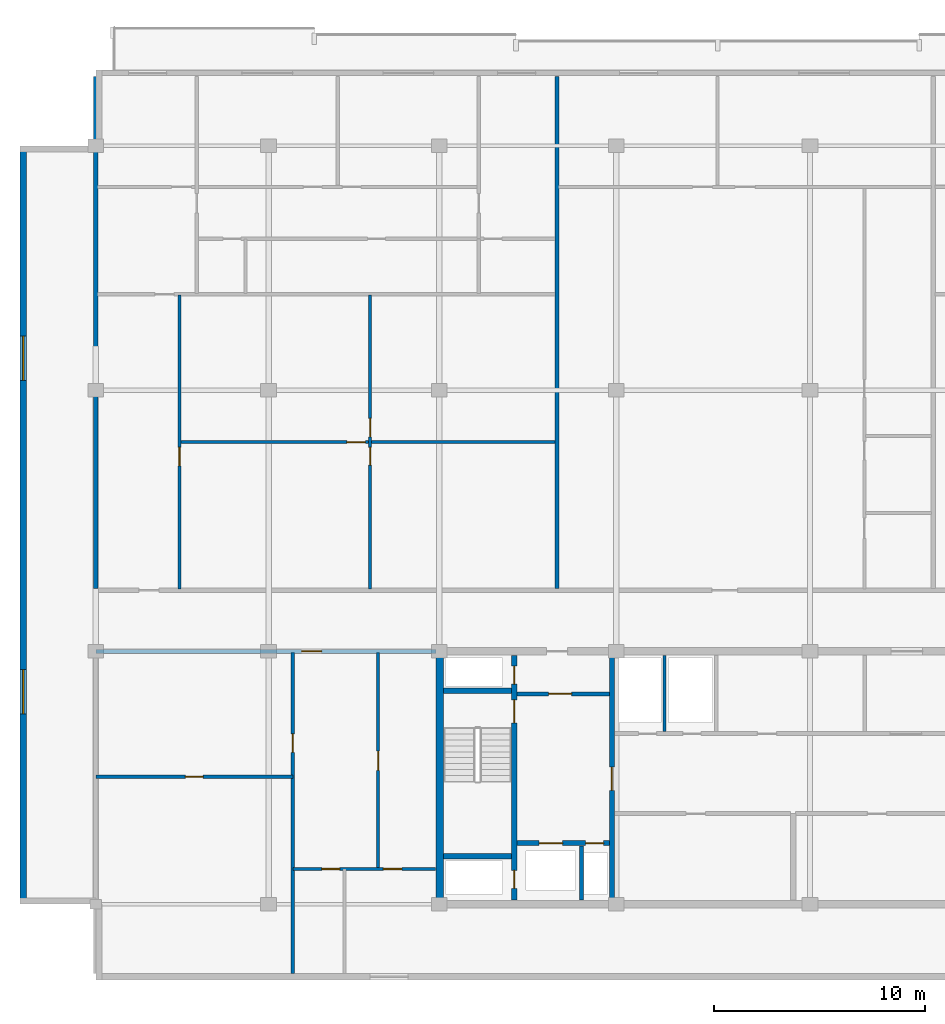
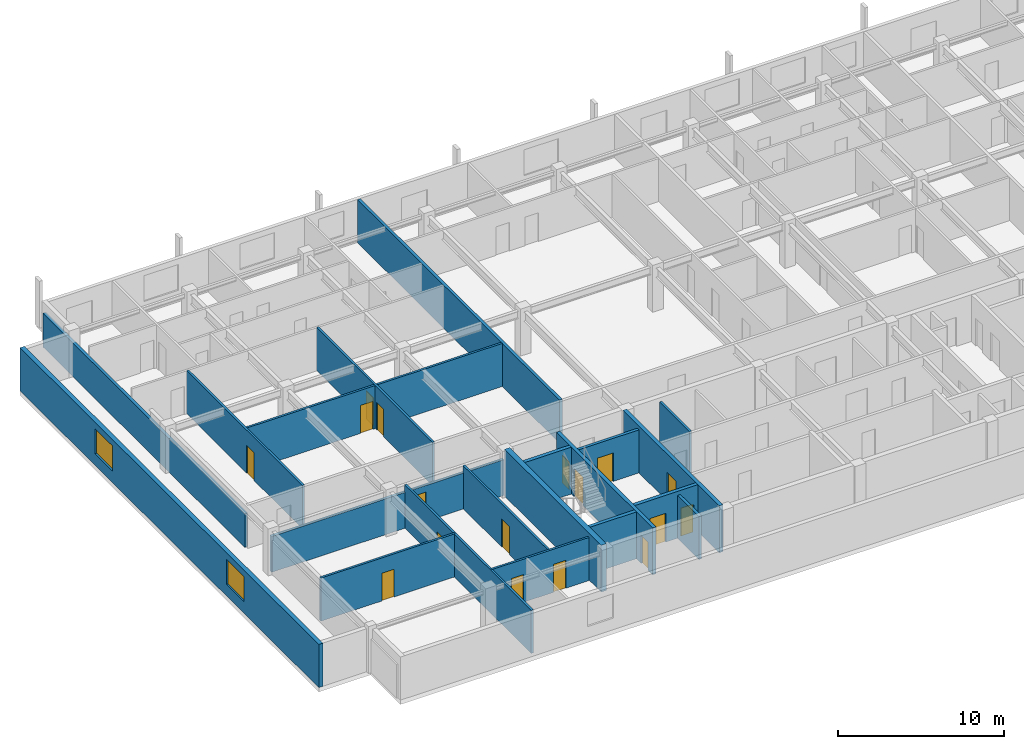
# One storey, part 3 of 10: 20 walls, 17 doors, 2 windows, 19 openings.
"""IFC4 building model written with IfcOpenShell, lengths in metres."""

from ifc_helpers import new_model, si_unit, direction, frame, frame_2d, origin, place, context, subcontext, project, spatial, rectangle, extrude, material, layer, layer_set, type_object, element, fill, save


model = new_model("IFC4")

# Units and contexts
model_context = context("Model", 3, precision=1e-05, world=origin(), true_north=direction((0.0, 1.0)))
body_context = subcontext(model_context, "Body", "Model", "MODEL_VIEW")
ifc_project = project(units=[si_unit("LENGTHUNIT", "METRE"), si_unit("AREAUNIT", "SQUARE_METRE"), si_unit("VOLUMEUNIT", "CUBIC_METRE"), si_unit("PLANEANGLEUNIT", "RADIAN"), si_unit("MASSUNIT", "GRAM", prefix="KILO")], contexts=[model_context])

# Site, building, storey
site_placement = place(None, origin())
site = spatial("IfcSite", under=ifc_project, at=site_placement, CompositionType="ELEMENT")
building_placement = place(site_placement, origin())
building = spatial("IfcBuilding", under=site, at=building_placement, Name="Korimba Cascade Residences", CompositionType="ELEMENT")
storey_placement = place(building_placement, frame((0.0, 0.0, 228.64990234375)))
storey = spatial("IfcBuildingStorey", under=building, at=storey_placement, Name="L66", CompositionType="ELEMENT", Elevation=228.64990234375)

# Wall, openings, windows
ifc_material_1 = material(Name="Precast concrete C40/50", Category="concrete")
ifc_layer_1 = layer(ifc_material_1, 0.300048828125)
ifc_layer_set_1 = layer_set([ifc_layer_1], Name="Precast concrete C40/50")
wall_type_1 = type_object("IfcWallType", Name="EW-STONE-300", PredefinedType="STANDARD", material=ifc_layer_set_1)
wall_1_placement = place(storey_placement, frame((56.35009765625, 91.199951171875, 0.0), z_axis=(0.0, 0.0, 1.0), x_axis=(0.0, -1.0, 0.0)))
wall_1 = element("IfcWall", 1, at=wall_1_placement, inside=storey, type_object=wall_type_1, Name="L66 T1 Perimeter Stone Wall E09", PredefinedType="STANDARD", context=body_context, shape_type="SweptSolid", body=[
    extrude(rectangle(XDim=36.0, YDim=0.300048828125, at=frame_2d((18.0, 0.0))), origin(), (0.0, 0.0, 1.0), 3.170166015625),
])
opening_1_placement = place(wall_1_placement, frame((9.030029296875, 0.0, 0.85009765625)))
opening_1 = element("IfcOpeningElement", 2, at=opening_1_placement, cuts=wall_1, Name="Opening W-03", PredefinedType="OPENING", context=body_context, shape_type="SweptSolid", body=[
    extrude(rectangle(XDim=2.10009765625, YDim=1.85009765625, at=frame_2d((1.050048828125, 0.925048828125))), frame((0.0, 0.16015625, 0.0), z_axis=(0.0, -1.0, 0.0), x_axis=(1.0, 0.0, 0.0)), (0.0, 0.0, 1.0), 0.320068359375),
])
opening_2_placement = place(wall_1_placement, frame((24.8701171875, 0.0, 0.85009765625)))
opening_2 = element("IfcOpeningElement", 3, at=opening_2_placement, cuts=wall_1, Name="Opening W-03", PredefinedType="OPENING", context=body_context, shape_type="SweptSolid", body=[
    extrude(rectangle(XDim=2.10009765625, YDim=1.85009765625, at=frame_2d((1.050048828125, 0.925048828125))), frame((0.0, 0.16015625, 0.0), z_axis=(0.0, -1.0, 0.0), x_axis=(1.0, 0.0, 0.0)), (0.0, 0.0, 1.0), 0.320068359375),
])
ifc_material_2 = material(Name="Double-Glazed Aluminium Window", Category="aluminium")
window_type = type_object("IfcWindowType", Name="WIN-CRN-2100", PartitioningType="DOUBLE_PANEL_HORIZONTAL", PredefinedType="WINDOW", material=ifc_material_2)
window_1_placement = place(opening_1_placement, origin())
window_1 = element("IfcWindow", 4, at=window_1_placement, inside=storey, type_object=window_type, Name="L66 T1 End View Window 9.1", OverallHeight=1.85009765625, OverallWidth=2.10009765625, PartitioningType="DOUBLE_PANEL_HORIZONTAL", PredefinedType="WINDOW", context=body_context, shape_type="SweptSolid", body=[
    extrude(rectangle(XDim=2.10009765625, YDim=1.85009765625, at=frame_2d((1.050048828125, 0.925048828125))), frame((0.0, 0.030029296875, 0.0), z_axis=(0.0, -1.0, 0.0), x_axis=(1.0, 0.0, 0.0)), (0.0, 0.0, 1.0), 0.06005859375),
])
fill(opening_1, window_1)
window_2_placement = place(opening_2_placement, origin())
window_2 = element("IfcWindow", 5, at=window_2_placement, inside=storey, type_object=window_type, Name="L66 T1 End View Window 9.2", OverallHeight=1.85009765625, OverallWidth=2.10009765625, PartitioningType="DOUBLE_PANEL_HORIZONTAL", PredefinedType="WINDOW", context=body_context, shape_type="SweptSolid", body=[
    extrude(rectangle(XDim=2.10009765625, YDim=1.85009765625, at=frame_2d((1.050048828125, 0.925048828125))), frame((0.0, 0.030029296875, 0.0), z_axis=(0.0, -1.0, 0.0), x_axis=(1.0, 0.0, 0.0)), (0.0, 0.0, 1.0), 0.06005859375),
])
fill(opening_2, window_2)

# Wall
ifc_material_3 = material(Name="Concrete C65/80", Category="concrete")
ifc_layer_2 = layer(ifc_material_3, 0.35009765625)
ifc_layer_set_2 = layer_set([ifc_layer_2], Name="Concrete C65/80")
wall_type_2 = type_object("IfcWallType", Name="WAL-CORE-350", PredefinedType="SHEAR", material=ifc_layer_set_2)
wall_2_placement = place(storey_placement, frame((76.125, 55.375, 0.0), z_axis=(0.0, 0.0, 1.0), x_axis=(0.0, 1.0, 0.0)))
element("IfcWall", 6, at=wall_2_placement, inside=storey, type_object=wall_type_2, Name="L66 Core Shear Wall CW-L66-T1-W", PredefinedType="SHEAR", context=body_context, shape_type="SweptSolid", body=[
    extrude(rectangle(XDim=11.64990234375, YDim=0.35009765625, at=frame_2d((5.824951171875, 0.0))), origin(), (0.0, 0.0, 1.0), 3.4501953125),
])

# Wall, opening, door
ifc_layer_3 = layer(ifc_material_1, 0.199951171875)
ifc_layer_set_3 = layer_set([ifc_layer_3], Name="Precast concrete C40/50")
wall_type_3 = type_object("IfcWallType", Name="WAL-IT-200", PredefinedType="PARTITIONING", material=ifc_layer_set_3)
wall_3_placement = place(storey_placement, frame((59.800048828125, 67.199951171875, 0.0), z_axis=(0.0, 0.0, 1.0), x_axis=(1.0, 0.0, 0.0)))
wall_3 = element("IfcWall", 7, at=wall_3_placement, inside=storey, type_object=wall_type_3, Name="L66 Partition Wall WAL-L66-T1-FW-N", PredefinedType="PARTITIONING", context=body_context, shape_type="SweptSolid", body=[
    extrude(rectangle(XDim=16.14990234375, YDim=0.199951171875, at=frame_2d((8.074951171875, 0.0))), origin(), (0.0, 0.0, 1.0), 2.63330078125),
])
opening_3_placement = place(wall_3_placement, frame((9.7724609375, 0.0, 0.0)))
opening_3 = element("IfcOpeningElement", 8, at=opening_3_placement, cuts=wall_3, Name="Opening D-UN1", PredefinedType="OPENING", context=body_context, shape_type="SweptSolid", body=[
    extrude(rectangle(XDim=0.949951171875, YDim=2.14990234375, at=frame_2d((0.47509765625, 1.074951171875))), frame((0.0, 0.10986328125, 0.0), z_axis=(0.0, -1.0, 0.0), x_axis=(1.0, 0.0, 0.0)), (0.0, 0.0, 1.0), 0.219970703125),
])
ifc_material_4 = material(Name="Fire-Rated Hardwood Apartment Entrance Door", Category="wood")
door_type_1 = type_object("IfcDoorType", Name="DR-FD60-950", OperationType="NOTDEFINED", PredefinedType="DOOR", material=ifc_material_4)
door_1_placement = place(opening_3_placement, origin())
door_1 = element("IfcDoor", 9, at=door_1_placement, inside=storey, type_object=door_type_1, Name="L66-T1-FW Entrance Door", OperationType="SINGLE_SWING_RIGHT", OverallHeight=2.14990234375, OverallWidth=0.949951171875, PredefinedType="DOOR", context=body_context, shape_type="SweptSolid", body=[
    extrude(rectangle(XDim=0.949951171875, YDim=2.14990234375, at=frame_2d((0.47509765625, 1.074951171875))), frame((0.0, 0.02490234375, 0.0), z_axis=(0.0, -1.0, 0.0), x_axis=(1.0, 0.0, 0.0)), (0.0, 0.0, 1.0), 0.050048828125),
])
fill(opening_3, door_1)

# Walls
wall_4_placement = place(storey_placement, frame((59.800048828125, 70.179931640625, 0.0), z_axis=(0.0, 0.0, 1.0), x_axis=(0.0, 1.0, 0.0)))
element("IfcWall", 10, at=wall_4_placement, inside=storey, type_object=wall_type_3, Name="L66 Partition Wall WAL-L66-T1-BNDWL", PredefinedType="PARTITIONING", context=body_context, shape_type="SweptSolid", body=[
    extrude(rectangle(XDim=24.320068359375, YDim=0.199951171875, at=frame_2d((12.16015625, 0.0))), origin(), (0.0, 0.0, 1.0), 2.477294921875),
])
wall_5_placement = place(storey_placement, frame((81.687255859375, 70.179931640625, 0.0), z_axis=(0.0, 0.0, 1.0), x_axis=(0.0, 1.0, 0.0)))
element("IfcWall", 11, at=wall_5_placement, inside=storey, type_object=wall_type_3, Name="L66 Partition Wall WAL-L66-T1-DEM-1", PredefinedType="PARTITIONING", context=body_context, shape_type="SweptSolid", body=[
    extrude(rectangle(XDim=24.320068359375, YDim=0.199951171875, at=frame_2d((12.16015625, 0.0))), origin(), (0.0, 0.0, 1.0), 3.170166015625),
])
ifc_material_5 = material(Name="Insulated Acoustic Stud Partition", Category="gypsum")
ifc_layer_4 = layer(ifc_material_5, 0.14990234375)
ifc_layer_set_4 = layer_set([ifc_layer_4], Name="Insulated Acoustic Stud Partition")
wall_type_4 = type_object("IfcWallType", Name="WAL-PART-150", PredefinedType="PARTITIONING", material=ifc_layer_set_4)
wall_6_placement = place(storey_placement, frame((86.800048828125, 63.39990234375, 0.0), z_axis=(0.0, 0.0, 1.0), x_axis=(0.0, 1.0, 0.0)))
element("IfcWall", 12, at=wall_6_placement, inside=storey, type_object=wall_type_4, Name="L66 Partition Wall CW-L66-T1-ERDIV", PredefinedType="PARTITIONING", context=body_context, shape_type="SweptSolid", body=[
    extrude(rectangle(XDim=3.60009765625, YDim=0.14990234375, at=frame_2d((1.800048828125, 0.0))), origin(), (0.0, 0.0, 1.0), 3.170166015625),
])

# Wall, opening, door
wall_7_placement = place(storey_placement, frame((59.800048828125, 61.25, 0.0), z_axis=(0.0, 0.0, 1.0), x_axis=(1.0, 0.0, 0.0)))
wall_7 = element("IfcWall", 13, at=wall_7_placement, inside=storey, type_object=wall_type_4, Name="L66 Partition Wall WAL-L66-T1-FW-STH", PredefinedType="PARTITIONING", context=body_context, shape_type="SweptSolid", body=[
    extrude(rectangle(XDim=9.349853515625, YDim=0.14990234375, at=frame_2d((4.6748046875, 0.0))), origin(), (0.0, 0.0, 1.0), 3.170166015625),
])
opening_4_placement = place(wall_7_placement, frame((4.2548828125, 0.0, 0.0)))
opening_4 = element("IfcOpeningElement", 14, at=opening_4_placement, cuts=wall_7, Name="Opening D-BT1", PredefinedType="OPENING", context=body_context, shape_type="SweptSolid", body=[
    extrude(rectangle(XDim=0.840087890625, YDim=2.0400390625, at=frame_2d((0.419921875, 1.02001953125))), frame((0.0, 0.0849609375, 0.0), z_axis=(0.0, -1.0, 0.0), x_axis=(1.0, 0.0, 0.0)), (0.0, 0.0, 1.0), 0.169921875),
])
ifc_material_6 = material(Name="Moisture-Resistant Bathroom Timber Door", Category="wood")
door_type_2 = type_object("IfcDoorType", Name="DR-INT-850", OperationType="NOTDEFINED", PredefinedType="DOOR", material=ifc_material_6)
door_2_placement = place(opening_4_placement, origin())
door_2 = element("IfcDoor", 15, at=door_2_placement, inside=storey, type_object=door_type_2, Name="L66-T1-FW Dressing Store Door", OperationType="SINGLE_SWING_LEFT", OverallHeight=2.0400390625, OverallWidth=0.840087890625, PredefinedType="DOOR", context=body_context, shape_type="SweptSolid", body=[
    extrude(rectangle(XDim=0.840087890625, YDim=2.0400390625, at=frame_2d((0.419921875, 1.02001953125))), frame((0.0, 0.02490234375, 0.0), z_axis=(0.0, -1.0, 0.0), x_axis=(1.0, 0.0, 0.0)), (0.0, 0.0, 1.0), 0.050048828125),
])
fill(opening_4, door_2)

wall_8_placement = place(storey_placement, frame((69.14990234375, 51.89990234375, 0.0), z_axis=(0.0, 0.0, 1.0), x_axis=(0.0, 1.0, 0.0)))
wall_8 = element("IfcWall", 16, at=wall_8_placement, inside=storey, type_object=wall_type_4, Name="L66 Partition Wall WAL-L66-T1-FW-STV", PredefinedType="PARTITIONING", context=body_context, shape_type="SweptSolid", body=[
    extrude(rectangle(XDim=15.25, YDim=0.14990234375, at=frame_2d((7.625, 0.0))), origin(), (0.0, 0.0, 1.0), 3.170166015625),
])
opening_5_placement = place(wall_8_placement, frame((10.5, 0.0, 0.0)))
opening_5 = element("IfcOpeningElement", 17, at=opening_5_placement, cuts=wall_8, Name="Opening D-IN2", PredefinedType="OPENING", context=body_context, shape_type="SweptSolid", body=[
    extrude(rectangle(XDim=0.8798828125, YDim=2.06005859375, at=frame_2d((0.43994140625, 1.030029296875))), frame((0.0, 0.0849609375, 0.0), z_axis=(0.0, -1.0, 0.0), x_axis=(1.0, 0.0, 0.0)), (0.0, 0.0, 1.0), 0.169921875),
])
ifc_material_7 = material(Name="Acoustic Timber Bedroom Door", Category="wood")
door_type_3 = type_object("IfcDoorType", Name="DR-INT-880", OperationType="NOTDEFINED", PredefinedType="DOOR", material=ifc_material_7)
door_3_placement = place(opening_5_placement, origin())
door_3 = element("IfcDoor", 18, at=door_3_placement, inside=storey, type_object=door_type_3, Name="L66-T1-FW Study Door", OperationType="SINGLE_SWING_RIGHT", OverallHeight=2.06005859375, OverallWidth=0.8798828125, PredefinedType="DOOR", context=body_context, shape_type="SweptSolid", body=[
    extrude(rectangle(XDim=0.8798828125, YDim=2.06005859375, at=frame_2d((0.43994140625, 1.030029296875))), frame((0.0, 0.02490234375, 0.0), z_axis=(0.0, -1.0, 0.0), x_axis=(1.0, 0.0, 0.0)), (0.0, 0.0, 1.0), 0.050048828125),
])
fill(opening_5, door_3)

wall_9_placement = place(storey_placement, frame((73.199951171875, 56.8701171875, 0.0), z_axis=(0.0, 0.0, 1.0), x_axis=(0.0, 1.0, 0.0)))
wall_9 = element("IfcWall", 19, at=wall_9_placement, inside=storey, type_object=wall_type_4, Name="L66 Partition Wall WAL-L66-T1-FW-VN", PredefinedType="PARTITIONING", context=body_context, shape_type="SweptSolid", body=[
    extrude(rectangle(XDim=10.27978515625, YDim=0.14990234375, at=frame_2d((5.139892578125, 0.0))), origin(), (0.0, 0.0, 1.0), 3.170166015625),
])
opening_6_placement = place(wall_9_placement, frame((4.679931640625, 0.0, 0.0)))
opening_6 = element("IfcOpeningElement", 20, at=opening_6_placement, cuts=wall_9, Name="Opening D-IN1", PredefinedType="OPENING", context=body_context, shape_type="SweptSolid", body=[
    extrude(rectangle(XDim=0.919921875, YDim=2.080078125, at=frame_2d((0.4599609375, 1.0400390625))), frame((0.0, 0.0849609375, 0.0), z_axis=(0.0, -1.0, 0.0), x_axis=(1.0, 0.0, 0.0)), (0.0, 0.0, 1.0), 0.169921875),
])
ifc_material_8 = material(Name="Acoustic Timber Living Door", Category="wood")
door_type_4 = type_object("IfcDoorType", Name="DR-INT-920", OperationType="NOTDEFINED", PredefinedType="DOOR", material=ifc_material_8)
door_4_placement = place(opening_6_placement, origin())
door_4 = element("IfcDoor", 21, at=door_4_placement, inside=storey, type_object=door_type_4, Name="L66-T1-FW Living Door", OperationType="SINGLE_SWING_LEFT", OverallHeight=2.080078125, OverallWidth=0.919921875, PredefinedType="DOOR", context=body_context, shape_type="SweptSolid", body=[
    extrude(rectangle(XDim=0.919921875, YDim=2.080078125, at=frame_2d((0.4599609375, 1.0400390625))), frame((0.0, 0.02490234375, 0.0), z_axis=(0.0, -1.0, 0.0), x_axis=(1.0, 0.0, 0.0)), (0.0, 0.0, 1.0), 0.050048828125),
])
fill(opening_6, door_4)

# Wall, openings, doors
wall_10_placement = place(storey_placement, frame((69.169921875, 56.8701171875, 0.0), z_axis=(0.0, 0.0, 1.0), x_axis=(1.0, 0.0, 0.0)))
wall_10 = element("IfcWall", 22, at=wall_10_placement, inside=storey, type_object=wall_type_4, Name="L66 Partition Wall WAL-L66-T1-FW-H", PredefinedType="PARTITIONING", context=body_context, shape_type="SweptSolid", body=[
    extrude(rectangle(XDim=6.760009765625, YDim=0.14990234375, at=frame_2d((3.3798828125, 0.0))), origin(), (0.0, 0.0, 1.0), 3.170166015625),
])
opening_7_placement = place(wall_10_placement, frame((1.3623046875, 0.0, 0.0)))
opening_7 = element("IfcOpeningElement", 23, at=opening_7_placement, cuts=wall_10, Name="Opening D-BT1", PredefinedType="OPENING", context=body_context, shape_type="SweptSolid", body=[
    extrude(rectangle(XDim=0.840087890625, YDim=2.0400390625, at=frame_2d((0.419921875, 1.02001953125))), frame((0.0, 0.0849609375, 0.0), z_axis=(0.0, -1.0, 0.0), x_axis=(1.0, 0.0, 0.0)), (0.0, 0.0, 1.0), 0.169921875),
])
opening_8_placement = place(wall_10_placement, frame((4.276611328125, 0.0, 0.0)))
opening_8 = element("IfcOpeningElement", 24, at=opening_8_placement, cuts=wall_10, Name="Opening D-IN2", PredefinedType="OPENING", context=body_context, shape_type="SweptSolid", body=[
    extrude(rectangle(XDim=0.8798828125, YDim=2.06005859375, at=frame_2d((0.43994140625, 1.030029296875))), frame((0.0, 0.0849609375, 0.0), z_axis=(0.0, -1.0, 0.0), x_axis=(1.0, 0.0, 0.0)), (0.0, 0.0, 1.0), 0.169921875),
])
door_5_placement = place(opening_7_placement, origin())
door_5 = element("IfcDoor", 25, at=door_5_placement, inside=storey, type_object=door_type_2, Name="L66-T1-FW Bathroom Door", OperationType="SINGLE_SWING_RIGHT", OverallHeight=2.0400390625, OverallWidth=0.840087890625, PredefinedType="DOOR", context=body_context, shape_type="SweptSolid", body=[
    extrude(rectangle(XDim=0.840087890625, YDim=2.0400390625, at=frame_2d((0.419921875, 1.02001953125))), frame((0.0, 0.02490234375, 0.0), z_axis=(0.0, -1.0, 0.0), x_axis=(1.0, 0.0, 0.0)), (0.0, 0.0, 1.0), 0.050048828125),
])
fill(opening_7, door_5)
door_6_placement = place(opening_8_placement, origin())
door_6 = element("IfcDoor", 26, at=door_6_placement, inside=storey, type_object=door_type_3, Name="L66-T1-FW Bedroom Door", OperationType="SINGLE_SWING_LEFT", OverallHeight=2.06005859375, OverallWidth=0.8798828125, PredefinedType="DOOR", context=body_context, shape_type="SweptSolid", body=[
    extrude(rectangle(XDim=0.8798828125, YDim=2.06005859375, at=frame_2d((0.43994140625, 1.030029296875))), frame((0.0, 0.02490234375, 0.0), z_axis=(0.0, -1.0, 0.0), x_axis=(1.0, 0.0, 0.0)), (0.0, 0.0, 1.0), 0.050048828125),
])
fill(opening_8, door_6)

wall_11_placement = place(storey_placement, frame((72.818603515625, 70.159912109375, 0.0), z_axis=(0.0, 0.0, 1.0), x_axis=(0.0, 1.0, 0.0)))
wall_11 = element("IfcWall", 27, at=wall_11_placement, inside=storey, type_object=wall_type_4, Name="L66 Partition Wall WAL-L66-T1-U01-FMV", PredefinedType="PARTITIONING", context=body_context, shape_type="SweptSolid", body=[
    extrude(rectangle(XDim=13.9501953125, YDim=0.14990234375, at=frame_2d((6.97509765625, 0.0))), origin(), (0.0, 0.0, 1.0), 3.170166015625),
])
opening_9_placement = place(wall_11_placement, frame((5.885009765625, 0.0, 0.0)))
opening_9 = element("IfcOpeningElement", 28, at=opening_9_placement, cuts=wall_11, Name="Opening D-BT1", PredefinedType="OPENING", context=body_context, shape_type="SweptSolid", body=[
    extrude(rectangle(XDim=0.840087890625, YDim=2.0400390625, at=frame_2d((0.419921875, 1.02001953125))), frame((0.0, 0.0849609375, 0.0), z_axis=(0.0, -1.0, 0.0), x_axis=(1.0, 0.0, 0.0)), (0.0, 0.0, 1.0), 0.169921875),
])
opening_10_placement = place(wall_11_placement, frame((7.22509765625, 0.0, 0.0)))
opening_10 = element("IfcOpeningElement", 29, at=opening_10_placement, cuts=wall_11, Name="Opening D-IN2", PredefinedType="OPENING", context=body_context, shape_type="SweptSolid", body=[
    extrude(rectangle(XDim=0.8798828125, YDim=2.06005859375, at=frame_2d((0.43994140625, 1.030029296875))), frame((0.0, 0.0849609375, 0.0), z_axis=(0.0, -1.0, 0.0), x_axis=(1.0, 0.0, 0.0)), (0.0, 0.0, 1.0), 0.169921875),
])
door_7_placement = place(opening_9_placement, origin())
door_7 = element("IfcDoor", 30, at=door_7_placement, inside=storey, type_object=door_type_2, Name="L66-T1-U01 Wardrobe Door", OperationType="SINGLE_SWING_LEFT", OverallHeight=2.0400390625, OverallWidth=0.840087890625, PredefinedType="DOOR", context=body_context, shape_type="SweptSolid", body=[
    extrude(rectangle(XDim=0.840087890625, YDim=2.0400390625, at=frame_2d((0.419921875, 1.02001953125))), frame((0.0, 0.02490234375, 0.0), z_axis=(0.0, -1.0, 0.0), x_axis=(1.0, 0.0, 0.0)), (0.0, 0.0, 1.0), 0.050048828125),
])
fill(opening_9, door_7)
door_8_placement = place(opening_10_placement, origin())
door_8 = element("IfcDoor", 31, at=door_8_placement, inside=storey, type_object=door_type_3, Name="L66-T1-U01 Music Lounge Door", OperationType="SINGLE_SWING_RIGHT", OverallHeight=2.06005859375, OverallWidth=0.8798828125, PredefinedType="DOOR", context=body_context, shape_type="SweptSolid", body=[
    extrude(rectangle(XDim=0.8798828125, YDim=2.06005859375, at=frame_2d((0.43994140625, 1.030029296875))), frame((0.0, 0.02490234375, 0.0), z_axis=(0.0, -1.0, 0.0), x_axis=(1.0, 0.0, 0.0)), (0.0, 0.0, 1.0), 0.050048828125),
])
fill(opening_10, door_8)

# Wall, opening, door
wall_12_placement = place(storey_placement, frame((63.830078125, 77.135009765625, 0.0), z_axis=(0.0, 0.0, 1.0), x_axis=(1.0, 0.0, 0.0)))
wall_12 = element("IfcWall", 32, at=wall_12_placement, inside=storey, type_object=wall_type_4, Name="L66 Partition Wall WAL-L66-T1-U01-FMH", PredefinedType="PARTITIONING", context=body_context, shape_type="SweptSolid", body=[
    extrude(rectangle(XDim=17.77734375, YDim=0.14990234375, at=frame_2d((8.888671875, 0.0))), origin(), (0.0, 0.0, 1.0), 3.170166015625),
])
opening_11_placement = place(wall_12_placement, frame((7.888671875, 0.0, 0.0)))
opening_11 = element("IfcOpeningElement", 33, at=opening_11_placement, cuts=wall_12, Name="Opening D-IN2", PredefinedType="OPENING", context=body_context, shape_type="SweptSolid", body=[
    extrude(rectangle(XDim=0.8798828125, YDim=2.06005859375, at=frame_2d((0.43994140625, 1.030029296875))), frame((0.0, 0.0849609375, 0.0), z_axis=(0.0, -1.0, 0.0), x_axis=(1.0, 0.0, 0.0)), (0.0, 0.0, 1.0), 0.169921875),
])
door_9_placement = place(opening_11_placement, origin())
door_9 = element("IfcDoor", 34, at=door_9_placement, inside=storey, type_object=door_type_3, Name="L66-T1-U01 Library Salon Door", OperationType="SINGLE_SWING_LEFT", OverallHeight=2.06005859375, OverallWidth=0.8798828125, PredefinedType="DOOR", context=body_context, shape_type="SweptSolid", body=[
    extrude(rectangle(XDim=0.8798828125, YDim=2.06005859375, at=frame_2d((0.43994140625, 1.030029296875))), frame((0.0, 0.02490234375, 0.0), z_axis=(0.0, -1.0, 0.0), x_axis=(1.0, 0.0, 0.0)), (0.0, 0.0, 1.0), 0.050048828125),
])
fill(opening_11, door_9)

wall_13_placement = place(storey_placement, frame((63.77001953125, 70.159912109375, 0.0), z_axis=(0.0, 0.0, 1.0), x_axis=(0.0, 1.0, 0.0)))
wall_13 = element("IfcWall", 35, at=wall_13_placement, inside=storey, type_object=wall_type_4, Name="L66 Partition Wall WAL-L66-T1-U01-FV", PredefinedType="PARTITIONING", context=body_context, shape_type="SweptSolid", body=[
    extrude(rectangle(XDim=13.9501953125, YDim=0.14990234375, at=frame_2d((6.97509765625, 0.0))), origin(), (0.0, 0.0, 1.0), 3.170166015625),
])
opening_12_placement = place(wall_13_placement, frame((5.844970703125, 0.0, 0.0)))
opening_12 = element("IfcOpeningElement", 36, at=opening_12_placement, cuts=wall_13, Name="Opening D-IN2", PredefinedType="OPENING", context=body_context, shape_type="SweptSolid", body=[
    extrude(rectangle(XDim=0.8798828125, YDim=2.06005859375, at=frame_2d((0.43994140625, 1.030029296875))), frame((0.0, 0.0849609375, 0.0), z_axis=(0.0, -1.0, 0.0), x_axis=(1.0, 0.0, 0.0)), (0.0, 0.0, 1.0), 0.169921875),
])
door_10_placement = place(opening_12_placement, origin())
door_10 = element("IfcDoor", 37, at=door_10_placement, inside=storey, type_object=door_type_3, Name="L66-T1-U01 Media Lounge Door", OperationType="SINGLE_SWING_RIGHT", OverallHeight=2.06005859375, OverallWidth=0.8798828125, PredefinedType="DOOR", context=body_context, shape_type="SweptSolid", body=[
    extrude(rectangle(XDim=0.8798828125, YDim=2.06005859375, at=frame_2d((0.43994140625, 1.030029296875))), frame((0.0, 0.02490234375, 0.0), z_axis=(0.0, -1.0, 0.0), x_axis=(1.0, 0.0, 0.0)), (0.0, 0.0, 1.0), 0.050048828125),
])
fill(opening_12, door_10)

# Wall
ifc_material_9 = material(Name="Concrete C40/50", Category="concrete")
ifc_layer_5 = layer(ifc_material_9, 0.199951171875)
ifc_layer_set_5 = layer_set([ifc_layer_5], Name="Concrete C40/50")
wall_type_5 = type_object("IfcWallType", Name="WAL-PART-200", PredefinedType="PARTITIONING", material=ifc_layer_set_5)
wall_14_placement = place(storey_placement, frame((82.85009765625, 55.39990234375, 0.0), z_axis=(0.0, 0.0, 1.0), x_axis=(0.0, 1.0, 0.0)))
element("IfcWall", 38, at=wall_14_placement, inside=storey, type_object=wall_type_5, Name="L66 Partition Wall CW-L66-T1-FFLDIV", PredefinedType="PARTITIONING", context=body_context, shape_type="SweptSolid", body=[
    extrude(rectangle(XDim=2.56005859375, YDim=0.199951171875, at=frame_2d((1.280029296875, 0.0))), origin(), (0.0, 0.0, 1.0), 3.170166015625),
])

# Wall, opening, door
wall_15_placement = place(storey_placement, frame((79.7900390625, 65.179931640625, 0.0), z_axis=(0.0, 0.0, 1.0), x_axis=(1.0, 0.0, 0.0)))
wall_15 = element("IfcWall", 39, at=wall_15_placement, inside=storey, type_object=wall_type_5, Name="L66 Partition Wall CW-L66-T1-FFLN", PredefinedType="PARTITIONING", context=body_context, shape_type="SweptSolid", body=[
    extrude(rectangle(XDim=4.389892578125, YDim=0.199951171875, at=frame_2d((2.19482421875, 0.0))), origin(), (0.0, 0.0, 1.0), 3.170166015625),
])
opening_13_placement = place(wall_15_placement, frame((1.5, 0.0, 0.0)))
opening_13 = element("IfcOpeningElement", 40, at=opening_13_placement, cuts=wall_15, Name="Opening D-FD1", PredefinedType="OPENING", context=body_context, shape_type="SweptSolid", body=[
    extrude(rectangle(XDim=1.10009765625, YDim=2.10009765625, at=frame_2d((0.550048828125, 1.050048828125))), frame((0.0, 0.10986328125, 0.0), z_axis=(0.0, -1.0, 0.0), x_axis=(1.0, 0.0, 0.0)), (0.0, 0.0, 1.0), 0.219970703125),
])
ifc_material_10 = material(Name="Fire-Rated Steel Core Door", Category="steel")
door_type_5 = type_object("IfcDoorType", Name="DR-FD120-1100", OperationType="NOTDEFINED", PredefinedType="DOOR", material=ifc_material_10)
door_11_placement = place(opening_13_placement, origin())
door_11 = element("IfcDoor", 41, at=door_11_placement, inside=storey, type_object=door_type_5, Name="L66 West Firefighting Lobby Door", OperationType="SINGLE_SWING_LEFT", OverallHeight=2.10009765625, OverallWidth=1.10009765625, PredefinedType="DOOR", context=body_context, shape_type="SweptSolid", body=[
    extrude(rectangle(XDim=1.10009765625, YDim=2.10009765625, at=frame_2d((0.550048828125, 1.050048828125))), frame((0.0, 0.02490234375, 0.0), z_axis=(0.0, -1.0, 0.0), x_axis=(1.0, 0.0, 0.0)), (0.0, 0.0, 1.0), 0.050048828125),
])
fill(opening_13, door_11)

# Wall, openings, doors
ifc_material_11 = material(Name="Concrete C50/60", Category="concrete")
ifc_layer_6 = layer(ifc_material_11, 0.25)
ifc_layer_set_6 = layer_set([ifc_layer_6], Name="Concrete C50/60")
wall_type_6 = type_object("IfcWallType", Name="WAL-SHAFT-250", PredefinedType="SHEAR", material=ifc_layer_set_6)
wall_16_placement = place(storey_placement, frame((79.6650390625, 55.39990234375, 0.0), z_axis=(0.0, 0.0, 1.0), x_axis=(0.0, 1.0, 0.0)))
wall_16 = element("IfcWall", 42, at=wall_16_placement, inside=storey, type_object=wall_type_6, Name="L66 Core Shear Wall CW-L66-T1-STW1E", PredefinedType="SHEAR", context=body_context, shape_type="SweptSolid", body=[
    extrude(rectangle(XDim=11.60009765625, YDim=0.25, at=frame_2d((5.800048828125, 0.0))), origin(), (0.0, 0.0, 1.0), 3.4501953125),
])
opening_14_placement = place(wall_16_placement, frame((0.550048828125, 0.0, 0.0)))
opening_14 = element("IfcOpeningElement", 43, at=opening_14_placement, cuts=wall_16, Name="Opening D-RS1", PredefinedType="OPENING", context=body_context, shape_type="SweptSolid", body=[
    extrude(rectangle(XDim=0.85009765625, YDim=2.050048828125, at=frame_2d((0.425048828125, 1.02490234375))), frame((0.0, 0.135009765625, 0.0), z_axis=(0.0, -1.0, 0.0), x_axis=(1.0, 0.0, 0.0)), (0.0, 0.0, 1.0), 0.27001953125),
])
opening_15_placement = place(wall_16_placement, frame((8.39990234375, 0.0, 0.0)))
opening_15 = element("IfcOpeningElement", 44, at=opening_15_placement, cuts=wall_16, Name="Opening D-FD1", PredefinedType="OPENING", context=body_context, shape_type="SweptSolid", body=[
    extrude(rectangle(XDim=1.10009765625, YDim=2.10009765625, at=frame_2d((0.550048828125, 1.050048828125))), frame((0.0, 0.135009765625, 0.0), z_axis=(0.0, -1.0, 0.0), x_axis=(1.0, 0.0, 0.0)), (0.0, 0.0, 1.0), 0.27001953125),
])
opening_16_placement = place(wall_16_placement, frame((10.25, 0.0, 0.0)))
opening_16 = element("IfcOpeningElement", 45, at=opening_16_placement, cuts=wall_16, Name="Opening D-RS1", PredefinedType="OPENING", context=body_context, shape_type="SweptSolid", body=[
    extrude(rectangle(XDim=0.85009765625, YDim=2.050048828125, at=frame_2d((0.425048828125, 1.02490234375))), frame((0.0, 0.135009765625, 0.0), z_axis=(0.0, -1.0, 0.0), x_axis=(1.0, 0.0, 0.0)), (0.0, 0.0, 1.0), 0.27001953125),
])
door_12_placement = place(opening_15_placement, origin())
door_12 = element("IfcDoor", 46, at=door_12_placement, inside=storey, type_object=door_type_5, Name="L66 Fire Stair ST-W1 Door", OperationType="SINGLE_SWING_RIGHT", OverallHeight=2.10009765625, OverallWidth=1.10009765625, PredefinedType="DOOR", context=body_context, shape_type="SweptSolid", body=[
    extrude(rectangle(XDim=1.10009765625, YDim=2.10009765625, at=frame_2d((0.550048828125, 1.050048828125))), frame((0.0, 0.02490234375, 0.0), z_axis=(0.0, -1.0, 0.0), x_axis=(1.0, 0.0, 0.0)), (0.0, 0.0, 1.0), 0.050048828125),
])
fill(opening_15, door_12)
ifc_material_12 = material(Name="Fire-Rated Steel Riser Access Door", Category="steel")
door_type_6 = type_object("IfcDoorType", Name="DR-FD60-850", OperationType="NOTDEFINED", PredefinedType="DOOR", material=ifc_material_12)
door_13_placement = place(opening_14_placement, origin())
door_13 = element("IfcDoor", 47, at=door_13_placement, inside=storey, type_object=door_type_6, Name="L66 Smoke Riser Access Door", OperationType="SINGLE_SWING_LEFT", OverallHeight=2.050048828125, OverallWidth=0.85009765625, PredefinedType="DOOR", context=body_context, shape_type="SweptSolid", body=[
    extrude(rectangle(XDim=0.85009765625, YDim=2.050048828125, at=frame_2d((0.425048828125, 1.02490234375))), frame((0.0, 0.02490234375, 0.0), z_axis=(0.0, -1.0, 0.0), x_axis=(1.0, 0.0, 0.0)), (0.0, 0.0, 1.0), 0.050048828125),
])
fill(opening_14, door_13)
door_14_placement = place(opening_16_placement, origin())
door_14 = element("IfcDoor", 48, at=door_14_placement, inside=storey, type_object=door_type_6, Name="L66 Hydrant Riser Access Door", OperationType="SINGLE_SWING_LEFT", OverallHeight=2.050048828125, OverallWidth=0.85009765625, PredefinedType="DOOR", context=body_context, shape_type="SweptSolid", body=[
    extrude(rectangle(XDim=0.85009765625, YDim=2.050048828125, at=frame_2d((0.425048828125, 1.02490234375))), frame((0.0, 0.02490234375, 0.0), z_axis=(0.0, -1.0, 0.0), x_axis=(1.0, 0.0, 0.0)), (0.0, 0.0, 1.0), 0.050048828125),
])
fill(opening_16, door_14)

# Walls
for number, where, z_axis, x_axis, name in (
    (49, (76.300048828125, 57.47509765625, 0.0), (0.0, 0.0, 1.0), (1.0, 0.0, 0.0), "L66 Core Shear Wall CW-L66-T1-STW1S"),
    (50, (76.300048828125, 65.324951171875, 0.0), (0.0, 0.0, 1.0), (1.0, 0.0, 0.0), "L66 Core Shear Wall CW-L66-T1-STW1N"),
):
    element("IfcWall", number, at=place(storey_placement, frame(where, z_axis=z_axis, x_axis=x_axis)), inside=storey, type_object=wall_type_6, Name=name, PredefinedType="SHEAR", context=body_context, shape_type="SweptSolid", body=[
        extrude(rectangle(XDim=3.239990234375, YDim=0.25, at=frame_2d((1.6201171875, 0.0))), origin(), (0.0, 0.0, 1.0), 3.4501953125),
    ])

# Wall, openings, doors
wall_17_placement = place(storey_placement, frame((79.7900390625, 58.10009765625, 0.0), z_axis=(0.0, 0.0, 1.0), x_axis=(1.0, 0.0, 0.0)))
wall_17 = element("IfcWall", 51, at=wall_17_placement, inside=storey, type_object=wall_type_6, Name="L66 Core Shear Wall CW-L66-T1-FFLS", PredefinedType="SHEAR", context=body_context, shape_type="SweptSolid", body=[
    extrude(rectangle(XDim=4.389892578125, YDim=0.25, at=frame_2d((2.19482421875, 0.0))), origin(), (0.0, 0.0, 1.0), 3.4501953125),
])
opening_17_placement = place(wall_17_placement, frame((1.050048828125, 0.0, 0.0)))
opening_17 = element("IfcOpeningElement", 52, at=opening_17_placement, cuts=wall_17, Name="Opening LD-01", PredefinedType="OPENING", context=body_context, shape_type="SweptSolid", body=[
    extrude(rectangle(XDim=1.1201171875, YDim=2.1201171875, at=frame_2d((0.56005859375, 1.06005859375))), frame((0.0, 0.135009765625, 0.0), z_axis=(0.0, -1.0, 0.0), x_axis=(1.0, 0.0, 0.0)), (0.0, 0.0, 1.0), 0.27001953125),
])
opening_18_placement = place(wall_17_placement, frame((3.260009765625, 0.0, 0.0)))
opening_18 = element("IfcOpeningElement", 53, at=opening_18_placement, cuts=wall_17, Name="Opening D-RS1", PredefinedType="OPENING", context=body_context, shape_type="SweptSolid", body=[
    extrude(rectangle(XDim=0.85009765625, YDim=2.050048828125, at=frame_2d((0.425048828125, 1.02490234375))), frame((0.0, 0.135009765625, 0.0), z_axis=(0.0, -1.0, 0.0), x_axis=(1.0, 0.0, 0.0)), (0.0, 0.0, 1.0), 0.27001953125),
])
door_15_placement = place(opening_18_placement, origin())
door_15 = element("IfcDoor", 54, at=door_15_placement, inside=storey, type_object=door_type_6, Name="L66 Pressurisation Riser Door", OperationType="SINGLE_SWING_RIGHT", OverallHeight=2.050048828125, OverallWidth=0.85009765625, PredefinedType="DOOR", context=body_context, shape_type="SweptSolid", body=[
    extrude(rectangle(XDim=0.85009765625, YDim=2.050048828125, at=frame_2d((0.425048828125, 1.02490234375))), frame((0.0, 0.02490234375, 0.0), z_axis=(0.0, -1.0, 0.0), x_axis=(1.0, 0.0, 0.0)), (0.0, 0.0, 1.0), 0.050048828125),
])
fill(opening_18, door_15)
ifc_material_13 = material(Name="Stainless Steel Lift Landing Sliding Door", Category="steel")
door_type_7 = type_object("IfcDoorType", Name="DR-LIFT-1100", OperationType="NOTDEFINED", PredefinedType="DOOR", material=ifc_material_13)
door_16_placement = place(opening_17_placement, origin())
door_16 = element("IfcDoor", 55, at=door_16_placement, inside=storey, type_object=door_type_7, Name="L66 Firefighting Lift Landing Door FFL-W1", OperationType="SLIDING_TO_LEFT", OverallHeight=2.1201171875, OverallWidth=1.1201171875, PredefinedType="DOOR", context=body_context, shape_type="SweptSolid", body=[
    extrude(rectangle(XDim=1.1201171875, YDim=2.1201171875, at=frame_2d((0.56005859375, 1.06005859375))), frame((0.0, 0.02490234375, 0.0), z_axis=(0.0, -1.0, 0.0), x_axis=(1.0, 0.0, 0.0)), (0.0, 0.0, 1.0), 0.050048828125),
])
fill(opening_17, door_16)

# Wall, opening, door
wall_18_placement = place(storey_placement, frame((84.300048828125, 55.39990234375, 0.0), z_axis=(0.0, 0.0, 1.0), x_axis=(0.0, 1.0, 0.0)))
wall_18 = element("IfcWall", 56, at=wall_18_placement, inside=storey, type_object=wall_type_6, Name="L66 Core Shear Wall CW-L66-T1-FFLE", PredefinedType="SHEAR", context=body_context, shape_type="SweptSolid", body=[
    extrude(rectangle(XDim=11.60009765625, YDim=0.25, at=frame_2d((5.800048828125, 0.0))), origin(), (0.0, 0.0, 1.0), 3.4501953125),
])
opening_19_placement = place(wall_18_placement, frame((5.199951171875, 0.0, 0.0)))
opening_19 = element("IfcOpeningElement", 57, at=opening_19_placement, cuts=wall_18, Name="Opening D-FD1", PredefinedType="OPENING", context=body_context, shape_type="SweptSolid", body=[
    extrude(rectangle(XDim=1.10009765625, YDim=2.10009765625, at=frame_2d((0.550048828125, 1.050048828125))), frame((0.0, 0.135009765625, 0.0), z_axis=(0.0, -1.0, 0.0), x_axis=(1.0, 0.0, 0.0)), (0.0, 0.0, 1.0), 0.27001953125),
])
door_17_placement = place(opening_19_placement, origin())
door_17 = element("IfcDoor", 58, at=door_17_placement, inside=storey, type_object=door_type_5, Name="L66 Firefighting Lobby to Lift Lobby Door", OperationType="SINGLE_SWING_RIGHT", OverallHeight=2.10009765625, OverallWidth=1.10009765625, PredefinedType="DOOR", context=body_context, shape_type="SweptSolid", body=[
    extrude(rectangle(XDim=1.10009765625, YDim=2.10009765625, at=frame_2d((0.550048828125, 1.050048828125))), frame((0.0, 0.02490234375, 0.0), z_axis=(0.0, -1.0, 0.0), x_axis=(1.0, 0.0, 0.0)), (0.0, 0.0, 1.0), 0.050048828125),
])
fill(opening_19, door_17)

save(model, "model.ifc")
